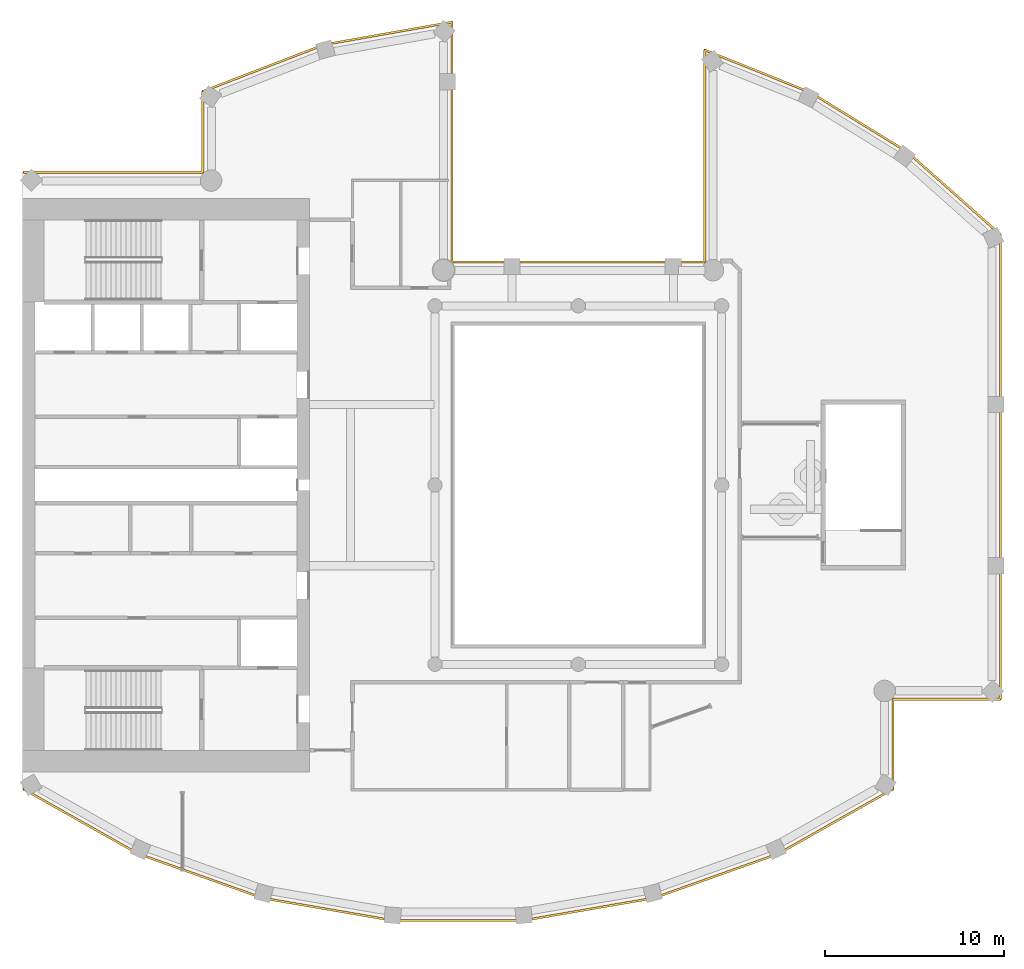
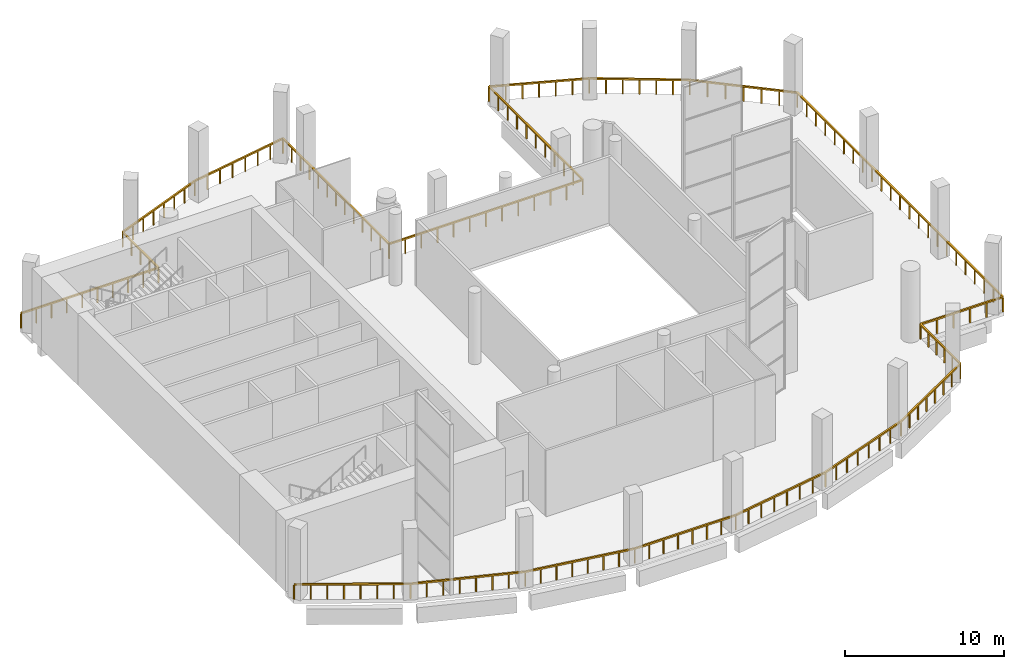
# One storey, part 9 of 12: 1 railing.
"""IFC4 building model written with IfcOpenShell, lengths in metres."""

from ifc_helpers import new_model, si_unit, direction, frame, origin, origin_2d, place, context, subcontext, project, spatial, rectangle, extrude, material, type_object, element, save


model = new_model("IFC4")

# Units and contexts
model_context = context("Model", 3, precision=1e-05, world=origin(), true_north=direction((0.0, 1.0)))
body_context = subcontext(model_context, "Body", "Model", "MODEL_VIEW")
ifc_project = project(units=[si_unit("LENGTHUNIT", "METRE"), si_unit("AREAUNIT", "SQUARE_METRE"), si_unit("VOLUMEUNIT", "CUBIC_METRE"), si_unit("PLANEANGLEUNIT", "RADIAN"), si_unit("MASSUNIT", "GRAM", prefix="KILO")], contexts=[model_context])

# Site, building, storey
site_placement = place(None, origin())
site = spatial("IfcSite", under=ifc_project, at=site_placement, CompositionType="ELEMENT")
building_placement = place(site_placement, origin())
building = spatial("IfcBuilding", under=site, at=building_placement, Name="Cypress Arch Tower", CompositionType="ELEMENT")
storey_placement = place(building_placement, frame((0.0, 0.0, 329.5)))
storey = spatial("IfcBuildingStorey", under=building, at=storey_placement, Name="L75", CompositionType="ELEMENT", Elevation=329.5)

# Railing
ifc_material = material(Name="Stainless steel posts and handrail, laminated glass infill", Category="steel")
railing_type = type_object("IfcRailingType", Name="Deck guard GR1200D", PredefinedType="GUARDRAIL", material=ifc_material)
railing_placement = place(storey_placement, frame((-29.949951171875, 17.449951171875, 0.0)))
element("IfcRailing", 1, at=railing_placement, inside=storey, type_object=railing_type, Name="Deck guard L75 1", PredefinedType="GUARDRAIL", context=body_context, shape_type="SweptSolid", body=[
    extrude(rectangle(XDim=0.1201171875, YDim=0.1201171875, at=origin_2d()), frame((0.0, 0.0, 1.139892578125), z_axis=(1.0, 0.0, 0.0), x_axis=(0.0, 1.0, 0.0)), (0.0, 0.0, 1.0), 10.0),
    extrude(rectangle(XDim=0.1201171875, YDim=0.1201171875, at=origin_2d()), frame((10.0, 0.0, 1.139892578125), z_axis=(0.0, 1.0, 0.0), x_axis=(-1.0, 0.0, 0.0)), (0.0, 0.0, 1.0), 4.515625),
    extrude(rectangle(XDim=0.1201171875, YDim=0.1201171875, at=origin_2d()), frame((10.0, 4.515625, 1.139892578125), z_axis=(0.933131011915, 0.359536527494, 0.0), x_axis=(-0.359536527494, 0.933131011915, 0.0)), (0.0, 0.0, 1.0), 7.248046875),
    extrude(rectangle(XDim=0.1201171875, YDim=0.1201171875, at=origin_2d()), frame((16.763427734375, 7.12158203125, 1.139892578125), z_axis=(0.984797461341, 0.173706534524, 0.0), x_axis=(-0.173706534524, 0.984797461341, 0.0)), (0.0, 0.0, 1.0), 7.24658203125),
    extrude(rectangle(XDim=0.1201171875, YDim=0.1201171875, at=origin_2d()), frame((23.89990234375, 8.38037109375, 1.139892578125), z_axis=(0.0, -1.0, 0.0), x_axis=(1.0, 0.0, 0.0)), (0.0, 0.0, 1.0), 13.38037109375),
    extrude(rectangle(XDim=0.1201171875, YDim=0.1201171875, at=origin_2d()), frame((23.89990234375, -5.0, 1.139892578125), z_axis=(1.0, 0.0, 0.0), x_axis=(0.0, 1.0, 0.0)), (0.0, 0.0, 1.0), 14.10009765625),
    extrude(rectangle(XDim=0.1201171875, YDim=0.1201171875, at=origin_2d()), frame((38.0, -5.0, 1.139892578125), z_axis=(0.0, 1.0, 0.0), x_axis=(-1.0, 0.0, 0.0)), (0.0, 0.0, 1.0), 11.826171875),
    extrude(rectangle(XDim=0.1201171875, YDim=0.1201171875, at=origin_2d()), frame((38.0, 6.826171875, 1.139892578125), z_axis=(0.927943292624, -0.372721404904, 0.0), x_axis=(0.372721404904, 0.927943292624, 0.0)), (0.0, 0.0, 1.0), 6.3876953125),
    extrude(rectangle(XDim=0.1201171875, YDim=0.1201171875, at=origin_2d()), frame((43.927490234375, 4.4453125, 1.139892578125), z_axis=(0.851858204964, -0.523772468382, 0.0), x_axis=(0.523772468382, 0.851858204964, 0.0)), (0.0, 0.0, 1.0), 6.330322265625),
    extrude(rectangle(XDim=0.1201171875, YDim=0.1201171875, at=origin_2d()), frame((49.320068359375, 1.129638671875, 1.139892578125), z_axis=(0.747576478009, -0.664175736931, 0.0), x_axis=(0.664175736931, 0.747576478009, 0.0)), (0.0, 0.0, 1.0), 6.928955078125),
    extrude(rectangle(XDim=0.1201171875, YDim=0.1201171875, at=origin_2d()), frame((54.5, -3.472412109375, 1.139892578125), z_axis=(0.0, -1.0, 0.0), x_axis=(1.0, 0.0, 0.0)), (0.0, 0.0, 1.0), 25.927490234375),
    extrude(rectangle(XDim=0.1201171875, YDim=0.1201171875, at=origin_2d()), frame((54.5, -29.39990234375, 1.139892578125), z_axis=(-1.0, 0.0, 0.0), x_axis=(0.0, -1.0, 0.0)), (0.0, 0.0, 1.0), 6.0),
    extrude(rectangle(XDim=0.1201171875, YDim=0.1201171875, at=origin_2d()), frame((48.5, -29.39990234375, 1.139892578125), z_axis=(0.0, -1.0, 0.0), x_axis=(1.0, 0.0, 0.0)), (0.0, 0.0, 1.0), 5.020751953125),
    extrude(rectangle(XDim=0.1201171875, YDim=0.1201171875, at=origin_2d()), frame((48.5, -34.420654296875, 1.139892578125), z_axis=(-0.871071194086, -0.491156772155, 0.0), x_axis=(0.491156772155, -0.871071194086, 0.0)), (0.0, 0.0, 1.0), 7.3369140625),
    extrude(rectangle(XDim=0.1201171875, YDim=0.1201171875, at=origin_2d()), frame((42.109130859375, -38.024169921875, 1.139892578125), z_axis=(-0.942102454054, -0.335325164677, 0.0), x_axis=(0.335325164677, -0.942102454054, 0.0)), (0.0, 0.0, 1.0), 7.35791015625),
    extrude(rectangle(XDim=0.1201171875, YDim=0.1201171875, at=origin_2d()), frame((35.17724609375, -40.491455078125, 1.139892578125), z_axis=(-0.985499169524, -0.169680248904, 0.0), x_axis=(0.169680248904, -0.985499169524, 0.0)), (0.0, 0.0, 1.0), 7.358154296875),
    extrude(rectangle(XDim=0.1201171875, YDim=0.1201171875, at=origin_2d()), frame((27.92578125, -41.739990234375, 1.139892578125), z_axis=(-1.0, 0.0, 0.0), x_axis=(0.0, -1.0, 0.0)), (0.0, 0.0, 1.0), 7.3515625),
    extrude(rectangle(XDim=0.1201171875, YDim=0.1201171875, at=origin_2d()), frame((20.57421875, -41.739990234375, 1.139892578125), z_axis=(-0.985499169524, 0.169680248904, 0.0), x_axis=(-0.169680248904, -0.985499169524, 0.0)), (0.0, 0.0, 1.0), 7.358154296875),
    extrude(rectangle(XDim=0.1201171875, YDim=0.1201171875, at=origin_2d()), frame((13.32275390625, -40.491455078125, 1.139892578125), z_axis=(-0.942102454054, 0.335325164677, 0.0), x_axis=(-0.335325164677, -0.942102454054, 0.0)), (0.0, 0.0, 1.0), 7.35791015625),
    extrude(rectangle(XDim=0.1201171875, YDim=0.1201171875, at=origin_2d()), frame((6.390869140625, -38.024169921875, 1.139892578125), z_axis=(-0.871071194086, 0.491156772155, 0.0), x_axis=(-0.491156772155, -0.871071194086, 0.0)), (0.0, 0.0, 1.0), 7.3369140625),
    extrude(rectangle(XDim=0.080078125, YDim=0.080078125, at=origin_2d()), origin(), (0.0, 0.0, 1.0), 1.079833984375),
    extrude(rectangle(XDim=0.080078125, YDim=0.080078125, at=origin_2d()), frame((1.111083984375, 0.0, 0.0)), (0.0, 0.0, 1.0), 1.079833984375),
    extrude(rectangle(XDim=0.080078125, YDim=0.080078125, at=origin_2d()), frame((2.22216796875, 0.0, 0.0)), (0.0, 0.0, 1.0), 1.079833984375),
    extrude(rectangle(XDim=0.080078125, YDim=0.080078125, at=origin_2d()), frame((3.333251953125, 0.0, 0.0)), (0.0, 0.0, 1.0), 1.079833984375),
    extrude(rectangle(XDim=0.080078125, YDim=0.080078125, at=origin_2d()), frame((4.4443359375, 0.0, 0.0)), (0.0, 0.0, 1.0), 1.079833984375),
    extrude(rectangle(XDim=0.080078125, YDim=0.080078125, at=origin_2d()), frame((5.5556640625, 0.0, 0.0)), (0.0, 0.0, 1.0), 1.079833984375),
    extrude(rectangle(XDim=0.080078125, YDim=0.080078125, at=origin_2d()), frame((6.666748046875, 0.0, 0.0)), (0.0, 0.0, 1.0), 1.079833984375),
    extrude(rectangle(XDim=0.080078125, YDim=0.080078125, at=origin_2d()), frame((7.77783203125, 0.0, 0.0)), (0.0, 0.0, 1.0), 1.079833984375),
    extrude(rectangle(XDim=0.080078125, YDim=0.080078125, at=origin_2d()), frame((8.888916015625, 0.0, 0.0)), (0.0, 0.0, 1.0), 1.079833984375),
    extrude(rectangle(XDim=0.080078125, YDim=0.080078125, at=origin_2d()), frame((10.0, 0.0, 0.0)), (0.0, 0.0, 1.0), 1.079833984375),
    extrude(rectangle(XDim=0.080078125, YDim=0.080078125, at=origin_2d()), frame((10.0, 1.12890625, 0.0)), (0.0, 0.0, 1.0), 1.079833984375),
    extrude(rectangle(XDim=0.080078125, YDim=0.080078125, at=origin_2d()), frame((10.0, 2.2578125, 0.0)), (0.0, 0.0, 1.0), 1.079833984375),
    extrude(rectangle(XDim=0.080078125, YDim=0.080078125, at=origin_2d()), frame((10.0, 3.38671875, 0.0)), (0.0, 0.0, 1.0), 1.079833984375),
    extrude(rectangle(XDim=0.080078125, YDim=0.080078125, at=origin_2d()), frame((10.0, 4.515625, 0.0)), (0.0, 0.0, 1.0), 1.079833984375),
    extrude(rectangle(XDim=0.080078125, YDim=0.080078125, at=origin_2d()), frame((10.96630859375, 4.887939453125, 0.0)), (0.0, 0.0, 1.0), 1.079833984375),
    extrude(rectangle(XDim=0.080078125, YDim=0.080078125, at=origin_2d()), frame((11.932373046875, 5.26025390625, 0.0)), (0.0, 0.0, 1.0), 1.079833984375),
    extrude(rectangle(XDim=0.080078125, YDim=0.080078125, at=origin_2d()), frame((12.898681640625, 5.632568359375, 0.0)), (0.0, 0.0, 1.0), 1.079833984375),
    extrude(rectangle(XDim=0.080078125, YDim=0.080078125, at=origin_2d()), frame((13.86474609375, 6.004638671875, 0.0)), (0.0, 0.0, 1.0), 1.079833984375),
    extrude(rectangle(XDim=0.080078125, YDim=0.080078125, at=origin_2d()), frame((14.8310546875, 6.376953125, 0.0)), (0.0, 0.0, 1.0), 1.079833984375),
    extrude(rectangle(XDim=0.080078125, YDim=0.080078125, at=origin_2d()), frame((15.797119140625, 6.749267578125, 0.0)), (0.0, 0.0, 1.0), 1.079833984375),
    extrude(rectangle(XDim=0.080078125, YDim=0.080078125, at=origin_2d()), frame((16.763427734375, 7.12158203125, 0.0)), (0.0, 0.0, 1.0), 1.079833984375),
    extrude(rectangle(XDim=0.080078125, YDim=0.080078125, at=origin_2d()), frame((17.782958984375, 7.301513671875, 0.0)), (0.0, 0.0, 1.0), 1.079833984375),
    extrude(rectangle(XDim=0.080078125, YDim=0.080078125, at=origin_2d()), frame((18.802490234375, 7.481201171875, 0.0)), (0.0, 0.0, 1.0), 1.079833984375),
    extrude(rectangle(XDim=0.080078125, YDim=0.080078125, at=origin_2d()), frame((19.822021484375, 7.6611328125, 0.0)), (0.0, 0.0, 1.0), 1.079833984375),
    extrude(rectangle(XDim=0.080078125, YDim=0.080078125, at=origin_2d()), frame((20.84130859375, 7.8408203125, 0.0)), (0.0, 0.0, 1.0), 1.079833984375),
    extrude(rectangle(XDim=0.080078125, YDim=0.080078125, at=origin_2d()), frame((21.86083984375, 8.020751953125, 0.0)), (0.0, 0.0, 1.0), 1.079833984375),
    extrude(rectangle(XDim=0.080078125, YDim=0.080078125, at=origin_2d()), frame((22.88037109375, 8.200439453125, 0.0)), (0.0, 0.0, 1.0), 1.079833984375),
    extrude(rectangle(XDim=0.080078125, YDim=0.080078125, at=origin_2d()), frame((23.89990234375, 8.38037109375, 0.0)), (0.0, 0.0, 1.0), 1.079833984375),
    extrude(rectangle(XDim=0.080078125, YDim=0.080078125, at=origin_2d()), frame((23.89990234375, 7.265380859375, 0.0)), (0.0, 0.0, 1.0), 1.079833984375),
    extrude(rectangle(XDim=0.080078125, YDim=0.080078125, at=origin_2d()), frame((23.89990234375, 6.150390625, 0.0)), (0.0, 0.0, 1.0), 1.079833984375),
    extrude(rectangle(XDim=0.080078125, YDim=0.080078125, at=origin_2d()), frame((23.89990234375, 5.03515625, 0.0)), (0.0, 0.0, 1.0), 1.079833984375),
    extrude(rectangle(XDim=0.080078125, YDim=0.080078125, at=origin_2d()), frame((23.89990234375, 3.920166015625, 0.0)), (0.0, 0.0, 1.0), 1.079833984375),
    extrude(rectangle(XDim=0.080078125, YDim=0.080078125, at=origin_2d()), frame((23.89990234375, 2.80517578125, 0.0)), (0.0, 0.0, 1.0), 1.079833984375),
    extrude(rectangle(XDim=0.080078125, YDim=0.080078125, at=origin_2d()), frame((23.89990234375, 1.690185546875, 0.0)), (0.0, 0.0, 1.0), 1.079833984375),
    extrude(rectangle(XDim=0.080078125, YDim=0.080078125, at=origin_2d()), frame((23.89990234375, 0.5751953125, 0.0)), (0.0, 0.0, 1.0), 1.079833984375),
    extrude(rectangle(XDim=0.080078125, YDim=0.080078125, at=origin_2d()), frame((23.89990234375, -0.539794921875, 0.0)), (0.0, 0.0, 1.0), 1.079833984375),
    extrude(rectangle(XDim=0.080078125, YDim=0.080078125, at=origin_2d()), frame((23.89990234375, -1.65478515625, 0.0)), (0.0, 0.0, 1.0), 1.079833984375),
    extrude(rectangle(XDim=0.080078125, YDim=0.080078125, at=origin_2d()), frame((23.89990234375, -2.77001953125, 0.0)), (0.0, 0.0, 1.0), 1.079833984375),
    extrude(rectangle(XDim=0.080078125, YDim=0.080078125, at=origin_2d()), frame((23.89990234375, -3.885009765625, 0.0)), (0.0, 0.0, 1.0), 1.079833984375),
    extrude(rectangle(XDim=0.080078125, YDim=0.080078125, at=origin_2d()), frame((23.89990234375, -5.0, 0.0)), (0.0, 0.0, 1.0), 1.079833984375),
    extrude(rectangle(XDim=0.080078125, YDim=0.080078125, at=origin_2d()), frame((25.074951171875, -5.0, 0.0)), (0.0, 0.0, 1.0), 1.079833984375),
    extrude(rectangle(XDim=0.080078125, YDim=0.080078125, at=origin_2d()), frame((26.25, -5.0, 0.0)), (0.0, 0.0, 1.0), 1.079833984375),
    extrude(rectangle(XDim=0.080078125, YDim=0.080078125, at=origin_2d()), frame((27.4248046875, -5.0, 0.0)), (0.0, 0.0, 1.0), 1.079833984375),
    extrude(rectangle(XDim=0.080078125, YDim=0.080078125, at=origin_2d()), frame((28.599853515625, -5.0, 0.0)), (0.0, 0.0, 1.0), 1.079833984375),
    extrude(rectangle(XDim=0.080078125, YDim=0.080078125, at=origin_2d()), frame((29.77490234375, -5.0, 0.0)), (0.0, 0.0, 1.0), 1.079833984375),
    extrude(rectangle(XDim=0.080078125, YDim=0.080078125, at=origin_2d()), frame((30.949951171875, -5.0, 0.0)), (0.0, 0.0, 1.0), 1.079833984375),
    extrude(rectangle(XDim=0.080078125, YDim=0.080078125, at=origin_2d()), frame((32.125, -5.0, 0.0)), (0.0, 0.0, 1.0), 1.079833984375),
    extrude(rectangle(XDim=0.080078125, YDim=0.080078125, at=origin_2d()), frame((33.300048828125, -5.0, 0.0)), (0.0, 0.0, 1.0), 1.079833984375),
    extrude(rectangle(XDim=0.080078125, YDim=0.080078125, at=origin_2d()), frame((34.47509765625, -5.0, 0.0)), (0.0, 0.0, 1.0), 1.079833984375),
    extrude(rectangle(XDim=0.080078125, YDim=0.080078125, at=origin_2d()), frame((35.64990234375, -5.0, 0.0)), (0.0, 0.0, 1.0), 1.079833984375),
    extrude(rectangle(XDim=0.080078125, YDim=0.080078125, at=origin_2d()), frame((36.824951171875, -5.0, 0.0)), (0.0, 0.0, 1.0), 1.079833984375),
    extrude(rectangle(XDim=0.080078125, YDim=0.080078125, at=origin_2d()), frame((38.0, -5.0, 0.0)), (0.0, 0.0, 1.0), 1.079833984375),
    extrude(rectangle(XDim=0.080078125, YDim=0.080078125, at=origin_2d()), frame((38.0, -3.8173828125, 0.0)), (0.0, 0.0, 1.0), 1.079833984375),
    extrude(rectangle(XDim=0.080078125, YDim=0.080078125, at=origin_2d()), frame((38.0, -2.634765625, 0.0)), (0.0, 0.0, 1.0), 1.079833984375),
    extrude(rectangle(XDim=0.080078125, YDim=0.080078125, at=origin_2d()), frame((38.0, -1.4521484375, 0.0)), (0.0, 0.0, 1.0), 1.079833984375),
    extrude(rectangle(XDim=0.080078125, YDim=0.080078125, at=origin_2d()), frame((38.0, -0.26953125, 0.0)), (0.0, 0.0, 1.0), 1.079833984375),
    extrude(rectangle(XDim=0.080078125, YDim=0.080078125, at=origin_2d()), frame((38.0, 0.9130859375, 0.0)), (0.0, 0.0, 1.0), 1.079833984375),
    extrude(rectangle(XDim=0.080078125, YDim=0.080078125, at=origin_2d()), frame((38.0, 2.095703125, 0.0)), (0.0, 0.0, 1.0), 1.079833984375),
    extrude(rectangle(XDim=0.080078125, YDim=0.080078125, at=origin_2d()), frame((38.0, 3.2783203125, 0.0)), (0.0, 0.0, 1.0), 1.079833984375),
    extrude(rectangle(XDim=0.080078125, YDim=0.080078125, at=origin_2d()), frame((38.0, 4.4609375, 0.0)), (0.0, 0.0, 1.0), 1.079833984375),
    extrude(rectangle(XDim=0.080078125, YDim=0.080078125, at=origin_2d()), frame((38.0, 5.6435546875, 0.0)), (0.0, 0.0, 1.0), 1.079833984375),
    extrude(rectangle(XDim=0.080078125, YDim=0.080078125, at=origin_2d()), frame((38.0, 6.826171875, 0.0)), (0.0, 0.0, 1.0), 1.079833984375),
    extrude(rectangle(XDim=0.080078125, YDim=0.080078125, at=origin_2d()), frame((38.98779296875, 6.429443359375, 0.0)), (0.0, 0.0, 1.0), 1.079833984375),
    extrude(rectangle(XDim=0.080078125, YDim=0.080078125, at=origin_2d()), frame((39.975830078125, 6.032470703125, 0.0)), (0.0, 0.0, 1.0), 1.079833984375),
    extrude(rectangle(XDim=0.080078125, YDim=0.080078125, at=origin_2d()), frame((40.9638671875, 5.6357421875, 0.0)), (0.0, 0.0, 1.0), 1.079833984375),
    extrude(rectangle(XDim=0.080078125, YDim=0.080078125, at=origin_2d()), frame((41.95166015625, 5.239013671875, 0.0)), (0.0, 0.0, 1.0), 1.079833984375),
    extrude(rectangle(XDim=0.080078125, YDim=0.080078125, at=origin_2d()), frame((42.939453125, 4.842041015625, 0.0)), (0.0, 0.0, 1.0), 1.079833984375),
    extrude(rectangle(XDim=0.080078125, YDim=0.080078125, at=origin_2d()), frame((43.927490234375, 4.4453125, 0.0)), (0.0, 0.0, 1.0), 1.079833984375),
    extrude(rectangle(XDim=0.080078125, YDim=0.080078125, at=origin_2d()), frame((44.826171875, 3.892578125, 0.0)), (0.0, 0.0, 1.0), 1.079833984375),
    extrude(rectangle(XDim=0.080078125, YDim=0.080078125, at=origin_2d()), frame((45.72509765625, 3.340087890625, 0.0)), (0.0, 0.0, 1.0), 1.079833984375),
    extrude(rectangle(XDim=0.080078125, YDim=0.080078125, at=origin_2d()), frame((46.623779296875, 2.78759765625, 0.0)), (0.0, 0.0, 1.0), 1.079833984375),
    extrude(rectangle(XDim=0.080078125, YDim=0.080078125, at=origin_2d()), frame((47.5224609375, 2.23486328125, 0.0)), (0.0, 0.0, 1.0), 1.079833984375),
    extrude(rectangle(XDim=0.080078125, YDim=0.080078125, at=origin_2d()), frame((48.42138671875, 1.68212890625, 0.0)), (0.0, 0.0, 1.0), 1.079833984375),
    extrude(rectangle(XDim=0.080078125, YDim=0.080078125, at=origin_2d()), frame((49.320068359375, 1.129638671875, 0.0)), (0.0, 0.0, 1.0), 1.079833984375),
    extrude(rectangle(XDim=0.080078125, YDim=0.080078125, at=origin_2d()), frame((50.183349609375, 0.362548828125, 0.0)), (0.0, 0.0, 1.0), 1.079833984375),
    extrude(rectangle(XDim=0.080078125, YDim=0.080078125, at=origin_2d()), frame((51.046630859375, -0.404296875, 0.0)), (0.0, 0.0, 1.0), 1.079833984375),
    extrude(rectangle(XDim=0.080078125, YDim=0.080078125, at=origin_2d()), frame((51.91015625, -1.17138671875, 0.0)), (0.0, 0.0, 1.0), 1.079833984375),
    extrude(rectangle(XDim=0.080078125, YDim=0.080078125, at=origin_2d()), frame((52.7734375, -1.9384765625, 0.0)), (0.0, 0.0, 1.0), 1.079833984375),
    extrude(rectangle(XDim=0.080078125, YDim=0.080078125, at=origin_2d()), frame((53.63671875, -2.705322265625, 0.0)), (0.0, 0.0, 1.0), 1.079833984375),
    extrude(rectangle(XDim=0.080078125, YDim=0.080078125, at=origin_2d()), frame((54.5, -3.472412109375, 0.0)), (0.0, 0.0, 1.0), 1.079833984375),
    extrude(rectangle(XDim=0.080078125, YDim=0.080078125, at=origin_2d()), frame((54.5, -4.65087890625, 0.0)), (0.0, 0.0, 1.0), 1.079833984375),
    extrude(rectangle(XDim=0.080078125, YDim=0.080078125, at=origin_2d()), frame((54.5, -5.829345703125, 0.0)), (0.0, 0.0, 1.0), 1.079833984375),
    extrude(rectangle(XDim=0.080078125, YDim=0.080078125, at=origin_2d()), frame((54.5, -7.008056640625, 0.0)), (0.0, 0.0, 1.0), 1.079833984375),
    extrude(rectangle(XDim=0.080078125, YDim=0.080078125, at=origin_2d()), frame((54.5, -8.1865234375, 0.0)), (0.0, 0.0, 1.0), 1.079833984375),
    extrude(rectangle(XDim=0.080078125, YDim=0.080078125, at=origin_2d()), frame((54.5, -9.364990234375, 0.0)), (0.0, 0.0, 1.0), 1.079833984375),
    extrude(rectangle(XDim=0.080078125, YDim=0.080078125, at=origin_2d()), frame((54.5, -10.54345703125, 0.0)), (0.0, 0.0, 1.0), 1.079833984375),
    extrude(rectangle(XDim=0.080078125, YDim=0.080078125, at=origin_2d()), frame((54.5, -11.72216796875, 0.0)), (0.0, 0.0, 1.0), 1.079833984375),
    extrude(rectangle(XDim=0.080078125, YDim=0.080078125, at=origin_2d()), frame((54.5, -12.900634765625, 0.0)), (0.0, 0.0, 1.0), 1.079833984375),
    extrude(rectangle(XDim=0.080078125, YDim=0.080078125, at=origin_2d()), frame((54.5, -14.0791015625, 0.0)), (0.0, 0.0, 1.0), 1.079833984375),
    extrude(rectangle(XDim=0.080078125, YDim=0.080078125, at=origin_2d()), frame((54.5, -15.257568359375, 0.0)), (0.0, 0.0, 1.0), 1.079833984375),
    extrude(rectangle(XDim=0.080078125, YDim=0.080078125, at=origin_2d()), frame((54.5, -16.43603515625, 0.0)), (0.0, 0.0, 1.0), 1.079833984375),
    extrude(rectangle(XDim=0.080078125, YDim=0.080078125, at=origin_2d()), frame((54.5, -17.61474609375, 0.0)), (0.0, 0.0, 1.0), 1.079833984375),
    extrude(rectangle(XDim=0.080078125, YDim=0.080078125, at=origin_2d()), frame((54.5, -18.793212890625, 0.0)), (0.0, 0.0, 1.0), 1.079833984375),
    extrude(rectangle(XDim=0.080078125, YDim=0.080078125, at=origin_2d()), frame((54.5, -19.9716796875, 0.0)), (0.0, 0.0, 1.0), 1.079833984375),
    extrude(rectangle(XDim=0.080078125, YDim=0.080078125, at=origin_2d()), frame((54.5, -21.150146484375, 0.0)), (0.0, 0.0, 1.0), 1.079833984375),
    extrude(rectangle(XDim=0.080078125, YDim=0.080078125, at=origin_2d()), frame((54.5, -22.328857421875, 0.0)), (0.0, 0.0, 1.0), 1.079833984375),
    extrude(rectangle(XDim=0.080078125, YDim=0.080078125, at=origin_2d()), frame((54.5, -23.50732421875, 0.0)), (0.0, 0.0, 1.0), 1.079833984375),
    extrude(rectangle(XDim=0.080078125, YDim=0.080078125, at=origin_2d()), frame((54.5, -24.685791015625, 0.0)), (0.0, 0.0, 1.0), 1.079833984375),
    extrude(rectangle(XDim=0.080078125, YDim=0.080078125, at=origin_2d()), frame((54.5, -25.8642578125, 0.0)), (0.0, 0.0, 1.0), 1.079833984375),
    extrude(rectangle(XDim=0.080078125, YDim=0.080078125, at=origin_2d()), frame((54.5, -27.04296875, 0.0)), (0.0, 0.0, 1.0), 1.079833984375),
    extrude(rectangle(XDim=0.080078125, YDim=0.080078125, at=origin_2d()), frame((54.5, -28.221435546875, 0.0)), (0.0, 0.0, 1.0), 1.079833984375),
    extrude(rectangle(XDim=0.080078125, YDim=0.080078125, at=origin_2d()), frame((54.5, -29.39990234375, 0.0)), (0.0, 0.0, 1.0), 1.079833984375),
    extrude(rectangle(XDim=0.080078125, YDim=0.080078125, at=origin_2d()), frame((53.300048828125, -29.39990234375, 0.0)), (0.0, 0.0, 1.0), 1.079833984375),
    extrude(rectangle(XDim=0.080078125, YDim=0.080078125, at=origin_2d()), frame((52.10009765625, -29.39990234375, 0.0)), (0.0, 0.0, 1.0), 1.079833984375),
    extrude(rectangle(XDim=0.080078125, YDim=0.080078125, at=origin_2d()), frame((50.89990234375, -29.39990234375, 0.0)), (0.0, 0.0, 1.0), 1.079833984375),
    extrude(rectangle(XDim=0.080078125, YDim=0.080078125, at=origin_2d()), frame((49.699951171875, -29.39990234375, 0.0)), (0.0, 0.0, 1.0), 1.079833984375),
    extrude(rectangle(XDim=0.080078125, YDim=0.080078125, at=origin_2d()), frame((48.5, -29.39990234375, 0.0)), (0.0, 0.0, 1.0), 1.079833984375),
    extrude(rectangle(XDim=0.080078125, YDim=0.080078125, at=origin_2d()), frame((48.5, -30.404052734375, 0.0)), (0.0, 0.0, 1.0), 1.079833984375),
    extrude(rectangle(XDim=0.080078125, YDim=0.080078125, at=origin_2d()), frame((48.5, -31.408203125, 0.0)), (0.0, 0.0, 1.0), 1.079833984375),
    extrude(rectangle(XDim=0.080078125, YDim=0.080078125, at=origin_2d()), frame((48.5, -32.412353515625, 0.0)), (0.0, 0.0, 1.0), 1.079833984375),
    extrude(rectangle(XDim=0.080078125, YDim=0.080078125, at=origin_2d()), frame((48.5, -33.41650390625, 0.0)), (0.0, 0.0, 1.0), 1.079833984375),
    extrude(rectangle(XDim=0.080078125, YDim=0.080078125, at=origin_2d()), frame((48.5, -34.420654296875, 0.0)), (0.0, 0.0, 1.0), 1.079833984375),
    extrude(rectangle(XDim=0.080078125, YDim=0.080078125, at=origin_2d()), frame((47.5869140625, -34.935546875, 0.0)), (0.0, 0.0, 1.0), 1.079833984375),
    extrude(rectangle(XDim=0.080078125, YDim=0.080078125, at=origin_2d()), frame((46.674072265625, -35.4501953125, 0.0)), (0.0, 0.0, 1.0), 1.079833984375),
    extrude(rectangle(XDim=0.080078125, YDim=0.080078125, at=origin_2d()), frame((45.760986328125, -35.965087890625, 0.0)), (0.0, 0.0, 1.0), 1.079833984375),
    extrude(rectangle(XDim=0.080078125, YDim=0.080078125, at=origin_2d()), frame((44.84814453125, -36.479736328125, 0.0)), (0.0, 0.0, 1.0), 1.079833984375),
    extrude(rectangle(XDim=0.080078125, YDim=0.080078125, at=origin_2d()), frame((43.93505859375, -36.99462890625, 0.0)), (0.0, 0.0, 1.0), 1.079833984375),
    extrude(rectangle(XDim=0.080078125, YDim=0.080078125, at=origin_2d()), frame((43.022216796875, -37.50927734375, 0.0)), (0.0, 0.0, 1.0), 1.079833984375),
    extrude(rectangle(XDim=0.080078125, YDim=0.080078125, at=origin_2d()), frame((42.109130859375, -38.024169921875, 0.0)), (0.0, 0.0, 1.0), 1.079833984375),
    extrude(rectangle(XDim=0.080078125, YDim=0.080078125, at=origin_2d()), frame((41.118896484375, -38.376708984375, 0.0)), (0.0, 0.0, 1.0), 1.079833984375),
    extrude(rectangle(XDim=0.080078125, YDim=0.080078125, at=origin_2d()), frame((40.128662109375, -38.72900390625, 0.0)), (0.0, 0.0, 1.0), 1.079833984375),
    extrude(rectangle(XDim=0.080078125, YDim=0.080078125, at=origin_2d()), frame((39.138427734375, -39.08154296875, 0.0)), (0.0, 0.0, 1.0), 1.079833984375),
    extrude(rectangle(XDim=0.080078125, YDim=0.080078125, at=origin_2d()), frame((38.14794921875, -39.43408203125, 0.0)), (0.0, 0.0, 1.0), 1.079833984375),
    extrude(rectangle(XDim=0.080078125, YDim=0.080078125, at=origin_2d()), frame((37.15771484375, -39.78662109375, 0.0)), (0.0, 0.0, 1.0), 1.079833984375),
    extrude(rectangle(XDim=0.080078125, YDim=0.080078125, at=origin_2d()), frame((36.16748046875, -40.138916015625, 0.0)), (0.0, 0.0, 1.0), 1.079833984375),
    extrude(rectangle(XDim=0.080078125, YDim=0.080078125, at=origin_2d()), frame((35.17724609375, -40.491455078125, 0.0)), (0.0, 0.0, 1.0), 1.079833984375),
    extrude(rectangle(XDim=0.080078125, YDim=0.080078125, at=origin_2d()), frame((34.141357421875, -40.669921875, 0.0)), (0.0, 0.0, 1.0), 1.079833984375),
    extrude(rectangle(XDim=0.080078125, YDim=0.080078125, at=origin_2d()), frame((33.10546875, -40.84814453125, 0.0)), (0.0, 0.0, 1.0), 1.079833984375),
    extrude(rectangle(XDim=0.080078125, YDim=0.080078125, at=origin_2d()), frame((32.069580078125, -41.026611328125, 0.0)), (0.0, 0.0, 1.0), 1.079833984375),
    extrude(rectangle(XDim=0.080078125, YDim=0.080078125, at=origin_2d()), frame((31.033447265625, -41.204833984375, 0.0)), (0.0, 0.0, 1.0), 1.079833984375),
    extrude(rectangle(XDim=0.080078125, YDim=0.080078125, at=origin_2d()), frame((29.99755859375, -41.38330078125, 0.0)), (0.0, 0.0, 1.0), 1.079833984375),
    extrude(rectangle(XDim=0.080078125, YDim=0.080078125, at=origin_2d()), frame((28.961669921875, -41.5615234375, 0.0)), (0.0, 0.0, 1.0), 1.079833984375),
    extrude(rectangle(XDim=0.080078125, YDim=0.080078125, at=origin_2d()), frame((27.92578125, -41.739990234375, 0.0)), (0.0, 0.0, 1.0), 1.079833984375),
    extrude(rectangle(XDim=0.080078125, YDim=0.080078125, at=origin_2d()), frame((26.87548828125, -41.739990234375, 0.0)), (0.0, 0.0, 1.0), 1.079833984375),
    extrude(rectangle(XDim=0.080078125, YDim=0.080078125, at=origin_2d()), frame((25.825439453125, -41.739990234375, 0.0)), (0.0, 0.0, 1.0), 1.079833984375),
    extrude(rectangle(XDim=0.080078125, YDim=0.080078125, at=origin_2d()), frame((24.775146484375, -41.739990234375, 0.0)), (0.0, 0.0, 1.0), 1.079833984375),
    extrude(rectangle(XDim=0.080078125, YDim=0.080078125, at=origin_2d()), frame((23.724853515625, -41.739990234375, 0.0)), (0.0, 0.0, 1.0), 1.079833984375),
    extrude(rectangle(XDim=0.080078125, YDim=0.080078125, at=origin_2d()), frame((22.674560546875, -41.739990234375, 0.0)), (0.0, 0.0, 1.0), 1.079833984375),
    extrude(rectangle(XDim=0.080078125, YDim=0.080078125, at=origin_2d()), frame((21.62451171875, -41.739990234375, 0.0)), (0.0, 0.0, 1.0), 1.079833984375),
    extrude(rectangle(XDim=0.080078125, YDim=0.080078125, at=origin_2d()), frame((20.57421875, -41.739990234375, 0.0)), (0.0, 0.0, 1.0), 1.079833984375),
    extrude(rectangle(XDim=0.080078125, YDim=0.080078125, at=origin_2d()), frame((19.538330078125, -41.5615234375, 0.0)), (0.0, 0.0, 1.0), 1.079833984375),
    extrude(rectangle(XDim=0.080078125, YDim=0.080078125, at=origin_2d()), frame((18.50244140625, -41.38330078125, 0.0)), (0.0, 0.0, 1.0), 1.079833984375),
    extrude(rectangle(XDim=0.080078125, YDim=0.080078125, at=origin_2d()), frame((17.466552734375, -41.204833984375, 0.0)), (0.0, 0.0, 1.0), 1.079833984375),
    extrude(rectangle(XDim=0.080078125, YDim=0.080078125, at=origin_2d()), frame((16.430419921875, -41.026611328125, 0.0)), (0.0, 0.0, 1.0), 1.079833984375),
    extrude(rectangle(XDim=0.080078125, YDim=0.080078125, at=origin_2d()), frame((15.39453125, -40.84814453125, 0.0)), (0.0, 0.0, 1.0), 1.079833984375),
    extrude(rectangle(XDim=0.080078125, YDim=0.080078125, at=origin_2d()), frame((14.358642578125, -40.669921875, 0.0)), (0.0, 0.0, 1.0), 1.079833984375),
    extrude(rectangle(XDim=0.080078125, YDim=0.080078125, at=origin_2d()), frame((13.32275390625, -40.491455078125, 0.0)), (0.0, 0.0, 1.0), 1.079833984375),
    extrude(rectangle(XDim=0.080078125, YDim=0.080078125, at=origin_2d()), frame((12.33251953125, -40.138916015625, 0.0)), (0.0, 0.0, 1.0), 1.079833984375),
    extrude(rectangle(XDim=0.080078125, YDim=0.080078125, at=origin_2d()), frame((11.34228515625, -39.78662109375, 0.0)), (0.0, 0.0, 1.0), 1.079833984375),
    extrude(rectangle(XDim=0.080078125, YDim=0.080078125, at=origin_2d()), frame((10.35205078125, -39.43408203125, 0.0)), (0.0, 0.0, 1.0), 1.079833984375),
    extrude(rectangle(XDim=0.080078125, YDim=0.080078125, at=origin_2d()), frame((9.361572265625, -39.08154296875, 0.0)), (0.0, 0.0, 1.0), 1.079833984375),
    extrude(rectangle(XDim=0.080078125, YDim=0.080078125, at=origin_2d()), frame((8.371337890625, -38.72900390625, 0.0)), (0.0, 0.0, 1.0), 1.079833984375),
    extrude(rectangle(XDim=0.080078125, YDim=0.080078125, at=origin_2d()), frame((7.381103515625, -38.376708984375, 0.0)), (0.0, 0.0, 1.0), 1.079833984375),
    extrude(rectangle(XDim=0.080078125, YDim=0.080078125, at=origin_2d()), frame((6.390869140625, -38.024169921875, 0.0)), (0.0, 0.0, 1.0), 1.079833984375),
    extrude(rectangle(XDim=0.080078125, YDim=0.080078125, at=origin_2d()), frame((5.477783203125, -37.50927734375, 0.0)), (0.0, 0.0, 1.0), 1.079833984375),
    extrude(rectangle(XDim=0.080078125, YDim=0.080078125, at=origin_2d()), frame((4.56494140625, -36.99462890625, 0.0)), (0.0, 0.0, 1.0), 1.079833984375),
    extrude(rectangle(XDim=0.080078125, YDim=0.080078125, at=origin_2d()), frame((3.65185546875, -36.479736328125, 0.0)), (0.0, 0.0, 1.0), 1.079833984375),
    extrude(rectangle(XDim=0.080078125, YDim=0.080078125, at=origin_2d()), frame((2.739013671875, -35.965087890625, 0.0)), (0.0, 0.0, 1.0), 1.079833984375),
    extrude(rectangle(XDim=0.080078125, YDim=0.080078125, at=origin_2d()), frame((1.825927734375, -35.4501953125, 0.0)), (0.0, 0.0, 1.0), 1.079833984375),
    extrude(rectangle(XDim=0.080078125, YDim=0.080078125, at=origin_2d()), frame((0.9130859375, -34.935546875, 0.0)), (0.0, 0.0, 1.0), 1.079833984375),
    extrude(rectangle(XDim=0.080078125, YDim=0.080078125, at=origin_2d()), frame((0.0, -34.420654296875, 0.0)), (0.0, 0.0, 1.0), 1.079833984375),
])

save(model, "model.ifc")
